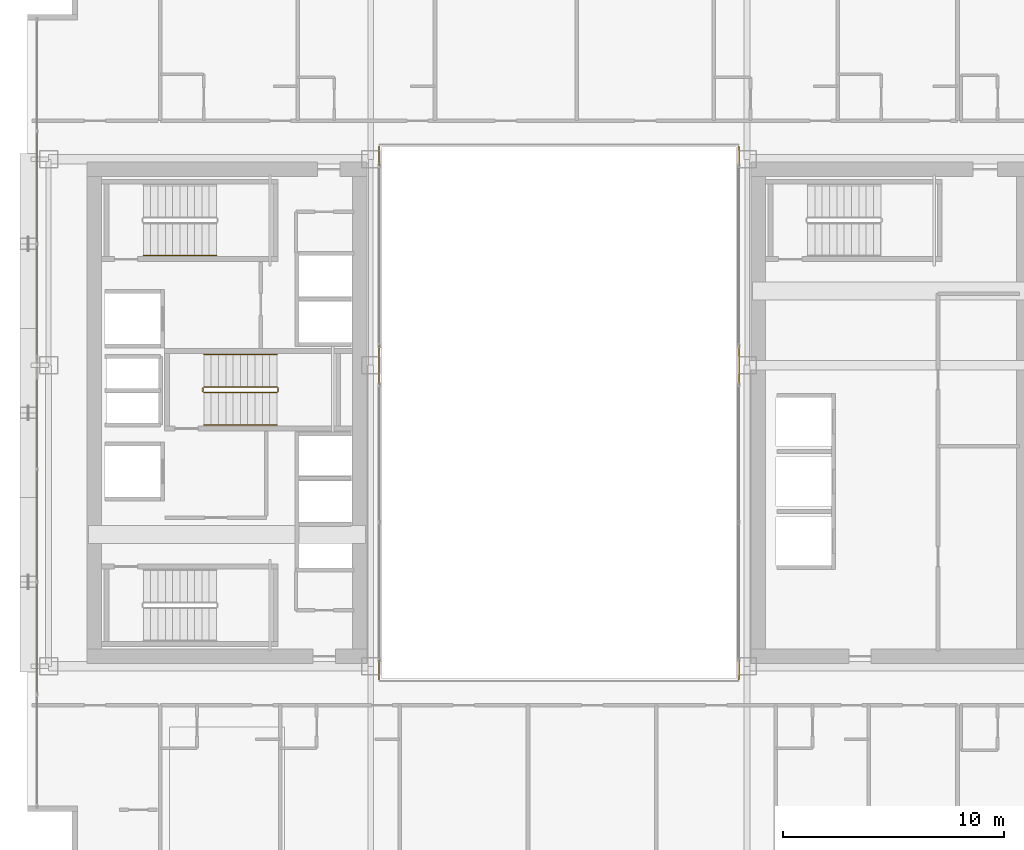
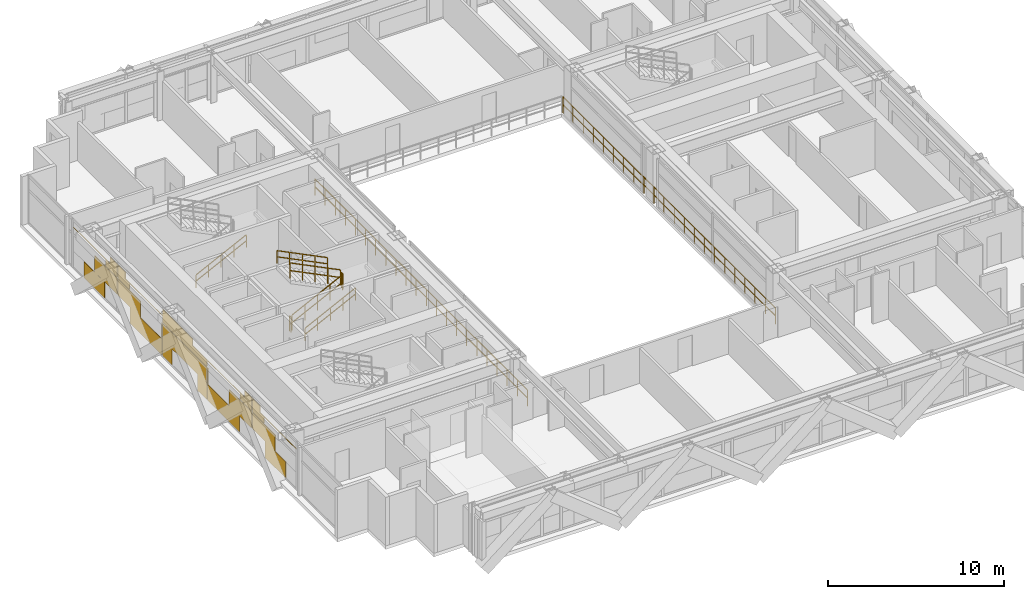
# One storey, part 37 of 39: 9 railings, 1 covering.
"""IFC4 building model written with IfcOpenShell, lengths in metres."""

from ifc_helpers import new_model, si_unit, direction, frame, origin, origin_2d, place, context, subcontext, project, spatial, rectangle, extrude, material, layer, layer_set, type_object, element, save


model = new_model("IFC4")

# Units and contexts
model_context = context("Model", 3, precision=1e-05, world=origin(), true_north=direction((0.0, 1.0)))
body_context = subcontext(model_context, "Body", "Model", "MODEL_VIEW")
ifc_project = project(units=[si_unit("LENGTHUNIT", "METRE"), si_unit("AREAUNIT", "SQUARE_METRE"), si_unit("VOLUMEUNIT", "CUBIC_METRE"), si_unit("PLANEANGLEUNIT", "RADIAN"), si_unit("MASSUNIT", "GRAM", prefix="KILO")], contexts=[model_context])

# Site, building, storey
site_placement = place(None, origin())
site = spatial("IfcSite", under=ifc_project, at=site_placement, CompositionType="ELEMENT")
building_placement = place(site_placement, origin())
building = spatial("IfcBuilding", under=site, at=building_placement, Name="Ocotamira Hotel", CompositionType="ELEMENT")
storey_placement = place(building_placement, frame((0.0, 0.0, 126.0)))
storey = spatial("IfcBuildingStorey", under=building, at=storey_placement, Name="L31", CompositionType="ELEMENT", Elevation=126.0)

# Covering
ifc_material_1 = material(Name="Insulated pale-metal aluminium spandrel panel", Category="aluminium")
ifc_layer = layer(ifc_material_1, 0.044921875)
ifc_layer_set = layer_set([ifc_layer], Name="Insulated pale-metal aluminium spandrel panel")
covering_type = type_object("IfcCoveringType", Name="COV-INFILL-45", PredefinedType="CLADDING", material=ifc_layer_set)
covering_placement = place(storey_placement, origin())
element("IfcCovering", 1, at=covering_placement, inside=storey, type_object=covering_type, Name="L31 Curtain Wall Infill CW-3 CW-L31-W", PredefinedType="CLADDING", context=body_context, shape_type="SweptSolid", body=[
    extrude(rectangle(XDim=2.35107421875, YDim=0.044921875, at=origin_2d()), frame((8.419921875, 15.741943359375, 0.07568359375), z_axis=(0.0, 0.0, 1.0), x_axis=(0.0, 1.0, 0.0)), (0.0, 0.0, 1.0), 1.11767578125),
    extrude(rectangle(XDim=2.578369140625, YDim=0.044921875, at=origin_2d()), frame((8.419921875, 17.041748046875, 1.1943359375), z_axis=(0.0, 0.0, 1.0), x_axis=(0.0, 1.0, 0.0)), (0.0, 0.0, 1.0), 1.117919921875),
    extrude(rectangle(XDim=5.004638671875, YDim=0.044921875, at=origin_2d()), frame((8.419921875, 15.82861328125, 2.802490234375), z_axis=(0.0, 0.0, 1.0), x_axis=(0.0, 1.0, 0.0)), (0.0, 0.0, 1.0), 0.033203125),
    extrude(rectangle(XDim=1.312744140625, YDim=0.044921875, at=origin_2d()), frame((8.419921875, 17.674560546875, 2.38818359375), z_axis=(0.0, 0.0, 1.0), x_axis=(0.0, 1.0, 0.0)), (0.0, 0.0, 1.0), 0.413330078125),
    extrude(rectangle(XDim=0.837158203125, YDim=0.044921875, at=origin_2d()), frame((8.419921875, 17.912353515625, 2.836669921875), z_axis=(0.0, 0.0, 1.0), x_axis=(0.0, 1.0, 0.0)), (0.0, 0.0, 1.0), 0.44775390625),
    extrude(rectangle(XDim=2.568603515625, YDim=0.044921875, at=origin_2d()), frame((8.419921875, 19.6962890625, 1.1943359375), z_axis=(0.0, 0.0, 1.0), x_axis=(0.0, 1.0, 0.0)), (0.0, 0.0, 1.0), 1.117919921875),
    extrude(rectangle(XDim=3.600830078125, YDim=0.044921875, at=origin_2d()), frame((8.419921875, 21.6162109375, 0.07568359375), z_axis=(0.0, 0.0, 1.0), x_axis=(0.0, 1.0, 0.0)), (0.0, 0.0, 1.0), 1.11767578125),
    extrude(rectangle(XDim=0.03076171875, YDim=0.044921875, at=origin_2d()), frame((8.419921875, 23.4013671875, 1.1943359375), z_axis=(0.0, 0.0, 1.0), x_axis=(0.0, 1.0, 0.0)), (0.0, 0.0, 1.0), 1.117919921875),
    extrude(rectangle(XDim=1.302978515625, YDim=0.044921875, at=origin_2d()), frame((8.419921875, 19.0634765625, 2.38818359375), z_axis=(0.0, 0.0, 1.0), x_axis=(0.0, 1.0, 0.0)), (0.0, 0.0, 1.0), 0.413330078125),
    extrude(rectangle(XDim=5.004638671875, YDim=0.044921875, at=origin_2d()), frame((8.419921875, 20.914306640625, 2.802490234375), z_axis=(0.0, 0.0, 1.0), x_axis=(0.0, 1.0, 0.0)), (0.0, 0.0, 1.0), 0.033203125),
    extrude(rectangle(XDim=0.827392578125, YDim=0.044921875, at=origin_2d()), frame((8.419921875, 18.82568359375, 2.836669921875), z_axis=(0.0, 0.0, 1.0), x_axis=(0.0, 1.0, 0.0)), (0.0, 0.0, 1.0), 0.44775390625),
    extrude(rectangle(XDim=1.05322265625, YDim=0.044921875, at=origin_2d()), frame((8.419921875, 24.0244140625, 0.07568359375), z_axis=(0.0, 0.0, 1.0), x_axis=(0.0, 1.0, 0.0)), (0.0, 0.0, 1.0), 1.11767578125),
    extrude(rectangle(XDim=5.004638671875, YDim=0.044921875, at=origin_2d()), frame((8.419921875, 26.0, 1.1943359375), z_axis=(0.0, 0.0, 1.0), x_axis=(0.0, 1.0, 0.0)), (0.0, 0.0, 1.0), 1.117919921875),
    extrude(rectangle(XDim=1.05322265625, YDim=0.044921875, at=origin_2d()), frame((8.419921875, 27.9755859375, 0.07568359375), z_axis=(0.0, 0.0, 1.0), x_axis=(0.0, 1.0, 0.0)), (0.0, 0.0, 1.0), 1.11767578125),
    extrude(rectangle(XDim=5.004638671875, YDim=0.044921875, at=origin_2d()), frame((8.419921875, 26.0, 2.387939453125), z_axis=(0.0, 0.0, 1.0), x_axis=(0.0, 1.0, 0.0)), (0.0, 0.0, 1.0), 0.44775390625),
    extrude(rectangle(XDim=3.375, YDim=0.044921875, at=origin_2d()), frame((8.419921875, 26.814697265625, 2.836669921875), z_axis=(0.0, 0.0, 1.0), x_axis=(0.0, 1.0, 0.0)), (0.0, 0.0, 1.0), 0.44775390625),
    extrude(rectangle(XDim=3.600830078125, YDim=0.044921875, at=origin_2d()), frame((8.419921875, 30.3837890625, 0.07568359375), z_axis=(0.0, 0.0, 1.0), x_axis=(0.0, 1.0, 0.0)), (0.0, 0.0, 1.0), 1.11767578125),
    extrude(rectangle(XDim=0.03076171875, YDim=0.044921875, at=origin_2d()), frame((8.419921875, 28.5986328125, 1.1943359375), z_axis=(0.0, 0.0, 1.0), x_axis=(0.0, 1.0, 0.0)), (0.0, 0.0, 1.0), 1.117919921875),
    extrude(rectangle(XDim=2.568603515625, YDim=0.044921875, at=origin_2d()), frame((8.419921875, 32.3037109375, 1.1943359375), z_axis=(0.0, 0.0, 1.0), x_axis=(0.0, 1.0, 0.0)), (0.0, 0.0, 1.0), 1.117919921875),
    extrude(rectangle(XDim=5.004638671875, YDim=0.044921875, at=origin_2d()), frame((8.419921875, 31.085693359375, 2.802490234375), z_axis=(0.0, 0.0, 1.0), x_axis=(0.0, 1.0, 0.0)), (0.0, 0.0, 1.0), 0.033203125),
    extrude(rectangle(XDim=1.302978515625, YDim=0.044921875, at=origin_2d()), frame((8.419921875, 32.9365234375, 2.38818359375), z_axis=(0.0, 0.0, 1.0), x_axis=(0.0, 1.0, 0.0)), (0.0, 0.0, 1.0), 0.413330078125),
    extrude(rectangle(XDim=0.827392578125, YDim=0.044921875, at=origin_2d()), frame((8.419921875, 33.17431640625, 2.836669921875), z_axis=(0.0, 0.0, 1.0), x_axis=(0.0, 1.0, 0.0)), (0.0, 0.0, 1.0), 0.44775390625),
    extrude(rectangle(XDim=2.578369140625, YDim=0.044921875, at=origin_2d()), frame((8.419921875, 34.958251953125, 1.1943359375), z_axis=(0.0, 0.0, 1.0), x_axis=(0.0, 1.0, 0.0)), (0.0, 0.0, 1.0), 1.117919921875),
    extrude(rectangle(XDim=2.35107421875, YDim=0.044921875, at=origin_2d()), frame((8.419921875, 36.258056640625, 0.07568359375), z_axis=(0.0, 0.0, 1.0), x_axis=(0.0, 1.0, 0.0)), (0.0, 0.0, 1.0), 1.11767578125),
    extrude(rectangle(XDim=1.312744140625, YDim=0.044921875, at=origin_2d()), frame((8.419921875, 34.325439453125, 2.38818359375), z_axis=(0.0, 0.0, 1.0), x_axis=(0.0, 1.0, 0.0)), (0.0, 0.0, 1.0), 0.413330078125),
    extrude(rectangle(XDim=5.004638671875, YDim=0.044921875, at=origin_2d()), frame((8.419921875, 36.17138671875, 2.802490234375), z_axis=(0.0, 0.0, 1.0), x_axis=(0.0, 1.0, 0.0)), (0.0, 0.0, 1.0), 0.033203125),
    extrude(rectangle(XDim=0.837158203125, YDim=0.044921875, at=origin_2d()), frame((8.419921875, 34.087646484375, 2.836669921875), z_axis=(0.0, 0.0, 1.0), x_axis=(0.0, 1.0, 0.0)), (0.0, 0.0, 1.0), 0.44775390625),
])

# Railings
ifc_material_2 = material(Name="Painted steel stair guardrail", Category="steel")
railing_type_1 = type_object("IfcRailingType", Name="RL-EDGE-1150", PredefinedType="GUARDRAIL", material=ifc_material_2)
railing_1_placement = place(storey_placement, frame((40.1201171875, 13.9599609375, 0.0)))
element("IfcRailing", 2, at=railing_1_placement, inside=storey, type_object=railing_type_1, Name="L31 Central Atrium Edge Guardrail E", PredefinedType="GUARDRAIL", context=body_context, shape_type="SweptSolid", body=[
    extrude(rectangle(XDim=0.048095703125, YDim=0.048095703125, at=origin_2d()), frame((0.0, 0.0, 1.1259765625), z_axis=(0.0, 1.0, 0.0), x_axis=(-1.0, 0.0, 0.0)), (0.0, 0.0, 1.0), 24.080078125),
    extrude(rectangle(XDim=0.048095703125, YDim=0.048095703125, at=origin_2d()), frame((0.0, 0.0, 0.574951171875), z_axis=(0.0, 1.0, 0.0), x_axis=(-1.0, 0.0, 0.0)), (0.0, 0.0, 1.0), 24.080078125),
    extrude(rectangle(XDim=0.0419921875, YDim=0.0419921875, at=origin_2d()), origin(), (0.0, 0.0, 1.0), 1.101806640625),
    extrude(rectangle(XDim=0.0419921875, YDim=0.0419921875, at=origin_2d()), frame((0.0, 1.146728515625, 0.0)), (0.0, 0.0, 1.0), 1.101806640625),
    extrude(rectangle(XDim=0.0419921875, YDim=0.0419921875, at=origin_2d()), frame((0.0, 2.29345703125, 0.0)), (0.0, 0.0, 1.0), 1.101806640625),
    extrude(rectangle(XDim=0.0419921875, YDim=0.0419921875, at=origin_2d()), frame((0.0, 3.43994140625, 0.0)), (0.0, 0.0, 1.0), 1.101806640625),
    extrude(rectangle(XDim=0.0419921875, YDim=0.0419921875, at=origin_2d()), frame((0.0, 4.586669921875, 0.0)), (0.0, 0.0, 1.0), 1.101806640625),
    extrude(rectangle(XDim=0.0419921875, YDim=0.0419921875, at=origin_2d()), frame((0.0, 5.7333984375, 0.0)), (0.0, 0.0, 1.0), 1.101806640625),
    extrude(rectangle(XDim=0.0419921875, YDim=0.0419921875, at=origin_2d()), frame((0.0, 6.880126953125, 0.0)), (0.0, 0.0, 1.0), 1.101806640625),
    extrude(rectangle(XDim=0.0419921875, YDim=0.0419921875, at=origin_2d()), frame((0.0, 8.026611328125, 0.0)), (0.0, 0.0, 1.0), 1.101806640625),
    extrude(rectangle(XDim=0.0419921875, YDim=0.0419921875, at=origin_2d()), frame((0.0, 9.17333984375, 0.0)), (0.0, 0.0, 1.0), 1.101806640625),
    extrude(rectangle(XDim=0.0419921875, YDim=0.0419921875, at=origin_2d()), frame((0.0, 10.320068359375, 0.0)), (0.0, 0.0, 1.0), 1.101806640625),
    extrude(rectangle(XDim=0.0419921875, YDim=0.0419921875, at=origin_2d()), frame((0.0, 11.466796875, 0.0)), (0.0, 0.0, 1.0), 1.101806640625),
    extrude(rectangle(XDim=0.0419921875, YDim=0.0419921875, at=origin_2d()), frame((0.0, 12.61328125, 0.0)), (0.0, 0.0, 1.0), 1.101806640625),
    extrude(rectangle(XDim=0.0419921875, YDim=0.0419921875, at=origin_2d()), frame((0.0, 13.760009765625, 0.0)), (0.0, 0.0, 1.0), 1.101806640625),
    extrude(rectangle(XDim=0.0419921875, YDim=0.0419921875, at=origin_2d()), frame((0.0, 14.90673828125, 0.0)), (0.0, 0.0, 1.0), 1.101806640625),
    extrude(rectangle(XDim=0.0419921875, YDim=0.0419921875, at=origin_2d()), frame((0.0, 16.053466796875, 0.0)), (0.0, 0.0, 1.0), 1.101806640625),
    extrude(rectangle(XDim=0.0419921875, YDim=0.0419921875, at=origin_2d()), frame((0.0, 17.199951171875, 0.0)), (0.0, 0.0, 1.0), 1.101806640625),
    extrude(rectangle(XDim=0.0419921875, YDim=0.0419921875, at=origin_2d()), frame((0.0, 18.3466796875, 0.0)), (0.0, 0.0, 1.0), 1.101806640625),
    extrude(rectangle(XDim=0.0419921875, YDim=0.0419921875, at=origin_2d()), frame((0.0, 19.493408203125, 0.0)), (0.0, 0.0, 1.0), 1.101806640625),
    extrude(rectangle(XDim=0.0419921875, YDim=0.0419921875, at=origin_2d()), frame((0.0, 20.64013671875, 0.0)), (0.0, 0.0, 1.0), 1.101806640625),
    extrude(rectangle(XDim=0.0419921875, YDim=0.0419921875, at=origin_2d()), frame((0.0, 21.78662109375, 0.0)), (0.0, 0.0, 1.0), 1.101806640625),
    extrude(rectangle(XDim=0.0419921875, YDim=0.0419921875, at=origin_2d()), frame((0.0, 22.933349609375, 0.0)), (0.0, 0.0, 1.0), 1.101806640625),
    extrude(rectangle(XDim=0.0419921875, YDim=0.0419921875, at=origin_2d()), frame((0.0, 24.080078125, 0.0)), (0.0, 0.0, 1.0), 1.101806640625),
])
railing_2_placement = place(storey_placement, frame((23.8798828125, 38.0400390625, 0.0)))
element("IfcRailing", 3, at=railing_2_placement, inside=storey, type_object=railing_type_1, Name="L31 Central Atrium Edge Guardrail W", PredefinedType="GUARDRAIL", context=body_context, shape_type="SweptSolid", body=[
    extrude(rectangle(XDim=0.048095703125, YDim=0.048095703125, at=origin_2d()), frame((0.0, 0.0, 1.1259765625), z_axis=(0.0, -1.0, 0.0), x_axis=(1.0, 0.0, 0.0)), (0.0, 0.0, 1.0), 24.080078125),
    extrude(rectangle(XDim=0.048095703125, YDim=0.048095703125, at=origin_2d()), frame((0.0, 0.0, 0.574951171875), z_axis=(0.0, -1.0, 0.0), x_axis=(1.0, 0.0, 0.0)), (0.0, 0.0, 1.0), 24.080078125),
    extrude(rectangle(XDim=0.0419921875, YDim=0.0419921875, at=origin_2d()), origin(), (0.0, 0.0, 1.0), 1.101806640625),
    extrude(rectangle(XDim=0.0419921875, YDim=0.0419921875, at=origin_2d()), frame((0.0, -1.146728515625, 0.0)), (0.0, 0.0, 1.0), 1.101806640625),
    extrude(rectangle(XDim=0.0419921875, YDim=0.0419921875, at=origin_2d()), frame((0.0, -2.29345703125, 0.0)), (0.0, 0.0, 1.0), 1.101806640625),
    extrude(rectangle(XDim=0.0419921875, YDim=0.0419921875, at=origin_2d()), frame((0.0, -3.43994140625, 0.0)), (0.0, 0.0, 1.0), 1.101806640625),
    extrude(rectangle(XDim=0.0419921875, YDim=0.0419921875, at=origin_2d()), frame((0.0, -4.586669921875, 0.0)), (0.0, 0.0, 1.0), 1.101806640625),
    extrude(rectangle(XDim=0.0419921875, YDim=0.0419921875, at=origin_2d()), frame((0.0, -5.7333984375, 0.0)), (0.0, 0.0, 1.0), 1.101806640625),
    extrude(rectangle(XDim=0.0419921875, YDim=0.0419921875, at=origin_2d()), frame((0.0, -6.880126953125, 0.0)), (0.0, 0.0, 1.0), 1.101806640625),
    extrude(rectangle(XDim=0.0419921875, YDim=0.0419921875, at=origin_2d()), frame((0.0, -8.026611328125, 0.0)), (0.0, 0.0, 1.0), 1.101806640625),
    extrude(rectangle(XDim=0.0419921875, YDim=0.0419921875, at=origin_2d()), frame((0.0, -9.17333984375, 0.0)), (0.0, 0.0, 1.0), 1.101806640625),
    extrude(rectangle(XDim=0.0419921875, YDim=0.0419921875, at=origin_2d()), frame((0.0, -10.320068359375, 0.0)), (0.0, 0.0, 1.0), 1.101806640625),
    extrude(rectangle(XDim=0.0419921875, YDim=0.0419921875, at=origin_2d()), frame((0.0, -11.466796875, 0.0)), (0.0, 0.0, 1.0), 1.101806640625),
    extrude(rectangle(XDim=0.0419921875, YDim=0.0419921875, at=origin_2d()), frame((0.0, -12.61328125, 0.0)), (0.0, 0.0, 1.0), 1.101806640625),
    extrude(rectangle(XDim=0.0419921875, YDim=0.0419921875, at=origin_2d()), frame((0.0, -13.760009765625, 0.0)), (0.0, 0.0, 1.0), 1.101806640625),
    extrude(rectangle(XDim=0.0419921875, YDim=0.0419921875, at=origin_2d()), frame((0.0, -14.90673828125, 0.0)), (0.0, 0.0, 1.0), 1.101806640625),
    extrude(rectangle(XDim=0.0419921875, YDim=0.0419921875, at=origin_2d()), frame((0.0, -16.053466796875, 0.0)), (0.0, 0.0, 1.0), 1.101806640625),
    extrude(rectangle(XDim=0.0419921875, YDim=0.0419921875, at=origin_2d()), frame((0.0, -17.199951171875, 0.0)), (0.0, 0.0, 1.0), 1.101806640625),
    extrude(rectangle(XDim=0.0419921875, YDim=0.0419921875, at=origin_2d()), frame((0.0, -18.3466796875, 0.0)), (0.0, 0.0, 1.0), 1.101806640625),
    extrude(rectangle(XDim=0.0419921875, YDim=0.0419921875, at=origin_2d()), frame((0.0, -19.493408203125, 0.0)), (0.0, 0.0, 1.0), 1.101806640625),
    extrude(rectangle(XDim=0.0419921875, YDim=0.0419921875, at=origin_2d()), frame((0.0, -20.64013671875, 0.0)), (0.0, 0.0, 1.0), 1.101806640625),
    extrude(rectangle(XDim=0.0419921875, YDim=0.0419921875, at=origin_2d()), frame((0.0, -21.78662109375, 0.0)), (0.0, 0.0, 1.0), 1.101806640625),
    extrude(rectangle(XDim=0.0419921875, YDim=0.0419921875, at=origin_2d()), frame((0.0, -22.933349609375, 0.0)), (0.0, 0.0, 1.0), 1.101806640625),
    extrude(rectangle(XDim=0.0419921875, YDim=0.0419921875, at=origin_2d()), frame((0.0, -24.080078125, 0.0)), (0.0, 0.0, 1.0), 1.101806640625),
])
ifc_material_3 = material(Name="Brushed stainless steel handrail", Category="steel")
railing_type_2 = type_object("IfcRailingType", Name="RL-HAND-900", PredefinedType="HANDRAIL", material=ifc_material_3)
for number, where, name in (
    (4, (13.22998046875, 33.10009765625, 0.327392578125), "L31 ST-2 stair handrail 1"),
    (5, (15.9599609375, 25.449951171875, 0.327392578125), "L31 ST-3 stair handrail 1"),
):
    element("IfcRailing", number, at=place(storey_placement, frame(where)), inside=storey, type_object=railing_type_2, Name=name, PredefinedType="HANDRAIL", context=body_context, shape_type="SweptSolid", body=[
        extrude(rectangle(XDim=0.048095703125, YDim=0.048095703125, at=origin_2d()), frame((0.0, 0.0, 0.8759765625), z_axis=(0.895920123917, 0.0, 0.444215186098), x_axis=(0.0, 1.0, 0.0)), (0.0, 0.0, 1.0), 3.683349609375),
        extrude(rectangle(XDim=0.048095703125, YDim=0.048095703125, at=origin_2d()), frame((0.0, 0.0, 0.449951171875), z_axis=(0.895920123917, 0.0, 0.444215186098), x_axis=(0.0, 1.0, 0.0)), (0.0, 0.0, 1.0), 3.683349609375),
        extrude(rectangle(XDim=0.0419921875, YDim=0.0419921875, at=origin_2d()), origin(), (0.0, 0.0, 1.0), 0.851806640625),
        extrude(rectangle(XDim=0.0419921875, YDim=0.0419921875, at=origin_2d()), frame((0.824951171875, 0.0, 0.4091796875)), (0.0, 0.0, 1.0), 0.851806640625),
        extrude(rectangle(XDim=0.0419921875, YDim=0.0419921875, at=origin_2d()), frame((1.64990234375, 0.0, 0.818115234375)), (0.0, 0.0, 1.0), 0.851806640625),
        extrude(rectangle(XDim=0.0419921875, YDim=0.0419921875, at=origin_2d()), frame((2.47509765625, 0.0, 1.22705078125)), (0.0, 0.0, 1.0), 0.851806640625),
        extrude(rectangle(XDim=0.0419921875, YDim=0.0419921875, at=origin_2d()), frame((3.300048828125, 0.0, 1.63623046875)), (0.0, 0.0, 1.0), 0.851806640625),
    ])
railing_3_placement = place(storey_placement, frame((19.260009765625, 28.6298828125, 2.127197265625)))
element("IfcRailing", 6, at=railing_3_placement, inside=storey, type_object=railing_type_2, Name="L31 ST-3 stair handrail 2", PredefinedType="HANDRAIL", context=body_context, shape_type="SweptSolid", body=[
    extrude(rectangle(XDim=0.048095703125, YDim=0.048095703125, at=origin_2d()), frame((0.0, 0.0, 0.8759765625), z_axis=(-0.895893744519, 0.0, 0.4442683857), x_axis=(0.0, -1.0, 0.0)), (0.0, 0.0, 1.0), 3.68359375),
    extrude(rectangle(XDim=0.048095703125, YDim=0.048095703125, at=origin_2d()), frame((0.0, 0.0, 0.449951171875), z_axis=(-0.895893744519, 0.0, 0.4442683857), x_axis=(0.0, -1.0, 0.0)), (0.0, 0.0, 1.0), 3.68359375),
    extrude(rectangle(XDim=0.0419921875, YDim=0.0419921875, at=origin_2d()), origin(), (0.0, 0.0, 1.0), 0.851806640625),
    extrude(rectangle(XDim=0.0419921875, YDim=0.0419921875, at=origin_2d()), frame((-0.824951171875, 0.0, 0.4091796875)), (0.0, 0.0, 1.0), 0.851806640625),
    extrude(rectangle(XDim=0.0419921875, YDim=0.0419921875, at=origin_2d()), frame((-1.64990234375, 0.0, 0.818359375)), (0.0, 0.0, 1.0), 0.851806640625),
    extrude(rectangle(XDim=0.0419921875, YDim=0.0419921875, at=origin_2d()), frame((-2.47509765625, 0.0, 1.227294921875)), (0.0, 0.0, 1.0), 0.851806640625),
    extrude(rectangle(XDim=0.0419921875, YDim=0.0419921875, at=origin_2d()), frame((-3.300048828125, 0.0, 1.636474609375)), (0.0, 0.0, 1.0), 0.851806640625),
])
railing_type_3 = type_object("IfcRailingType", Name="RL-STAIR-1100", PredefinedType="GUARDRAIL", material=ifc_material_2)
railing_4_placement = place(storey_placement, frame((15.9599609375, 26.909912109375, 0.16357421875)))
element("IfcRailing", 7, at=railing_4_placement, inside=storey, type_object=railing_type_3, Name="L31 ST-3 stair guard 1", PredefinedType="GUARDRAIL", context=body_context, shape_type="SweptSolid", body=[
    extrude(rectangle(XDim=0.048095703125, YDim=0.048095703125, at=origin_2d()), frame((0.0, 0.0, 1.076171875), z_axis=(0.895893744519, 0.0, 0.4442683857), x_axis=(0.0, 1.0, 0.0)), (0.0, 0.0, 1.0), 3.68359375),
    extrude(rectangle(XDim=0.048095703125, YDim=0.048095703125, at=origin_2d()), frame((0.0, 0.0, 0.550048828125), z_axis=(0.895893744519, 0.0, 0.4442683857), x_axis=(0.0, 1.0, 0.0)), (0.0, 0.0, 1.0), 3.68359375),
    extrude(rectangle(XDim=0.0419921875, YDim=0.0419921875, at=origin_2d()), origin(), (0.0, 0.0, 1.0), 1.052001953125),
    extrude(rectangle(XDim=0.0419921875, YDim=0.0419921875, at=origin_2d()), frame((0.824951171875, 0.0, 0.4091796875)), (0.0, 0.0, 1.0), 1.052001953125),
    extrude(rectangle(XDim=0.0419921875, YDim=0.0419921875, at=origin_2d()), frame((1.64990234375, 0.0, 0.818359375)), (0.0, 0.0, 1.0), 1.052001953125),
    extrude(rectangle(XDim=0.0419921875, YDim=0.0419921875, at=origin_2d()), frame((2.47509765625, 0.0, 1.227294921875)), (0.0, 0.0, 1.0), 1.052001953125),
    extrude(rectangle(XDim=0.0419921875, YDim=0.0419921875, at=origin_2d()), frame((3.300048828125, 0.0, 1.636474609375)), (0.0, 0.0, 1.0), 1.052001953125),
])
railing_5_placement = place(storey_placement, frame((19.31005859375, 26.9599609375, 1.800048828125)))
element("IfcRailing", 8, at=railing_5_placement, inside=storey, type_object=railing_type_3, Name="L31 ST-3 stair guard 2", PredefinedType="GUARDRAIL", context=body_context, shape_type="SweptSolid", body=[
    extrude(rectangle(XDim=0.048095703125, YDim=0.048095703125, at=origin_2d()), frame((0.0, 0.0, 1.076171875), z_axis=(0.0, 1.0, 0.0), x_axis=(-1.0, 0.0, 0.0)), (0.0, 0.0, 1.0), 0.16015625),
    extrude(rectangle(XDim=0.048095703125, YDim=0.048095703125, at=origin_2d()), frame((0.0, 0.0, 0.550048828125), z_axis=(0.0, 1.0, 0.0), x_axis=(-1.0, 0.0, 0.0)), (0.0, 0.0, 1.0), 0.16015625),
    extrude(rectangle(XDim=0.0419921875, YDim=0.0419921875, at=origin_2d()), origin(), (0.0, 0.0, 1.0), 1.052001953125),
    extrude(rectangle(XDim=0.0419921875, YDim=0.0419921875, at=origin_2d()), frame((0.0, 0.16015625, 0.0)), (0.0, 0.0, 1.0), 1.052001953125),
])
railing_6_placement = place(storey_placement, frame((19.260009765625, 27.169921875, 1.963623046875)))
element("IfcRailing", 9, at=railing_6_placement, inside=storey, type_object=railing_type_3, Name="L31 ST-3 stair guard 3", PredefinedType="GUARDRAIL", context=body_context, shape_type="SweptSolid", body=[
    extrude(rectangle(XDim=0.048095703125, YDim=0.048095703125, at=origin_2d()), frame((0.0, 0.0, 1.076171875), z_axis=(-0.895893744519, 0.0, 0.4442683857), x_axis=(0.0, -1.0, 0.0)), (0.0, 0.0, 1.0), 3.68359375),
    extrude(rectangle(XDim=0.048095703125, YDim=0.048095703125, at=origin_2d()), frame((0.0, 0.0, 0.550048828125), z_axis=(-0.895893744519, 0.0, 0.4442683857), x_axis=(0.0, -1.0, 0.0)), (0.0, 0.0, 1.0), 3.68359375),
    extrude(rectangle(XDim=0.0419921875, YDim=0.0419921875, at=origin_2d()), origin(), (0.0, 0.0, 1.0), 1.052001953125),
    extrude(rectangle(XDim=0.0419921875, YDim=0.0419921875, at=origin_2d()), frame((-0.824951171875, 0.0, 0.4091796875)), (0.0, 0.0, 1.0), 1.052001953125),
    extrude(rectangle(XDim=0.0419921875, YDim=0.0419921875, at=origin_2d()), frame((-1.64990234375, 0.0, 0.818359375)), (0.0, 0.0, 1.0), 1.052001953125),
    extrude(rectangle(XDim=0.0419921875, YDim=0.0419921875, at=origin_2d()), frame((-2.47509765625, 0.0, 1.227294921875)), (0.0, 0.0, 1.0), 1.052001953125),
    extrude(rectangle(XDim=0.0419921875, YDim=0.0419921875, at=origin_2d()), frame((-3.300048828125, 0.0, 1.636474609375)), (0.0, 0.0, 1.0), 1.052001953125),
])
railing_7_placement = place(storey_placement, frame((15.909912109375, 26.9599609375, 0.0)))
element("IfcRailing", 10, at=railing_7_placement, inside=storey, type_object=railing_type_3, Name="L31 ST-3 stair guard 4", PredefinedType="GUARDRAIL", context=body_context, shape_type="SweptSolid", body=[
    extrude(rectangle(XDim=0.048095703125, YDim=0.048095703125, at=origin_2d()), frame((0.0, 0.0, 1.076171875), z_axis=(0.0, 1.0, 0.0), x_axis=(-1.0, 0.0, 0.0)), (0.0, 0.0, 1.0), 0.16015625),
    extrude(rectangle(XDim=0.048095703125, YDim=0.048095703125, at=origin_2d()), frame((0.0, 0.0, 0.550048828125), z_axis=(0.0, 1.0, 0.0), x_axis=(-1.0, 0.0, 0.0)), (0.0, 0.0, 1.0), 0.16015625),
    extrude(rectangle(XDim=0.0419921875, YDim=0.0419921875, at=origin_2d()), origin(), (0.0, 0.0, 1.0), 1.052001953125),
    extrude(rectangle(XDim=0.0419921875, YDim=0.0419921875, at=origin_2d()), frame((0.0, 0.16015625, 0.0)), (0.0, 0.0, 1.0), 1.052001953125),
])

save(model, "model.ifc")
